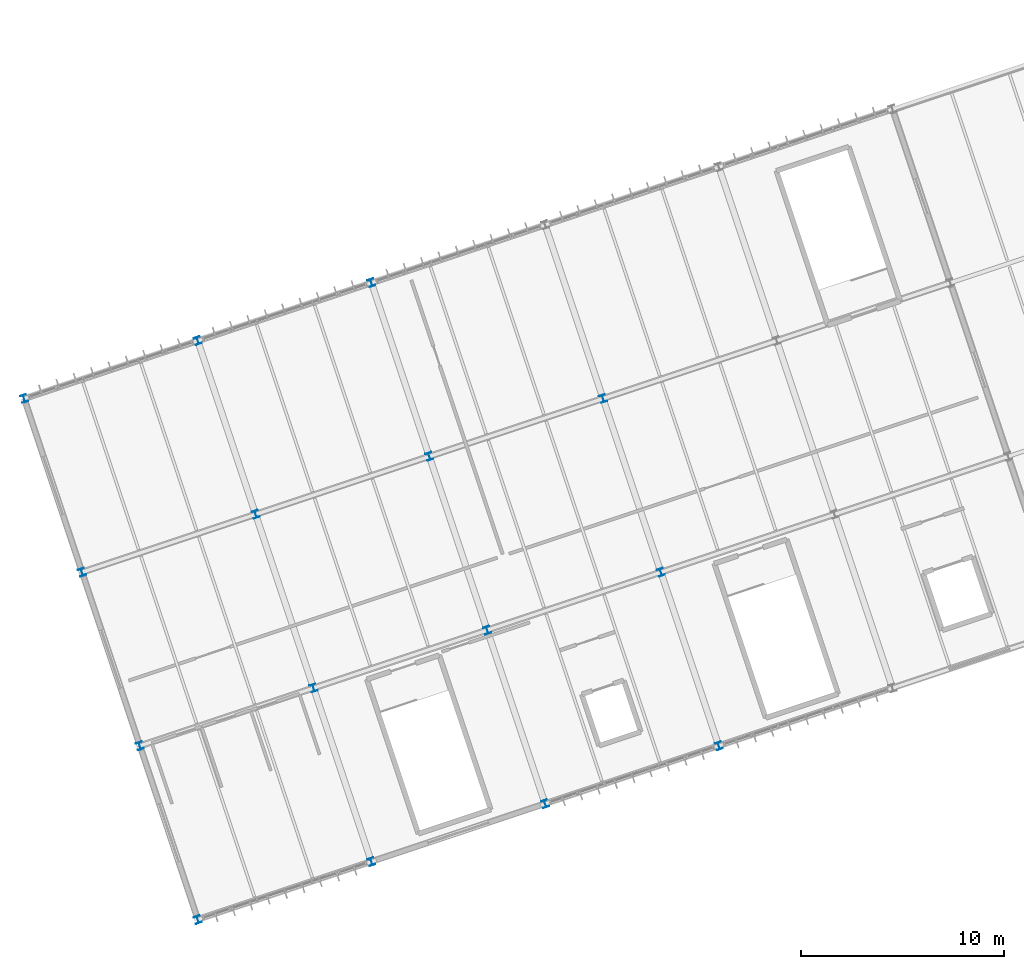
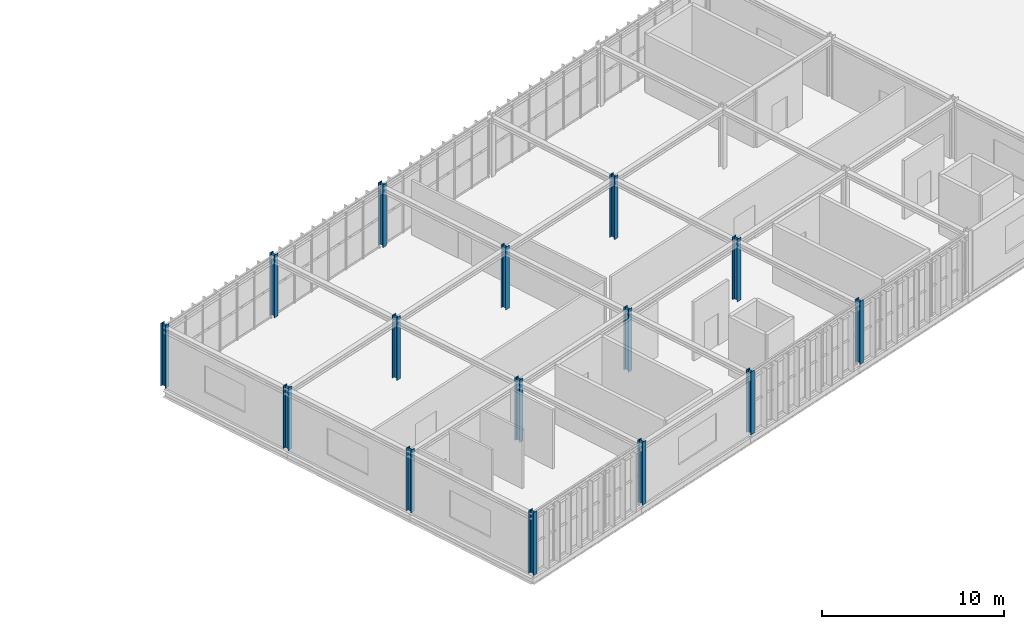
# One storey, part 1 of 61: 15 columns.
"""IFC4 building model written with IfcOpenShell, lengths in metres."""

from ifc_helpers import new_model, si_unit, derived_unit, direction, frame, origin, origin_2d, place, context, subcontext, project, spatial, i_section, extrude, material, material_profile, profile_set, type_object, element, save


model = new_model("IFC4")

# Units and contexts
model_context = context("Model", 3, precision=1e-05, world=origin(), true_north=direction((0.0, 1.0)))
body_context = subcontext(model_context, "Body", "Model", "MODEL_VIEW")
ifc_project = project(units=[si_unit("LENGTHUNIT", "METRE"), si_unit("AREAUNIT", "SQUARE_METRE"), si_unit("VOLUMEUNIT", "CUBIC_METRE"), si_unit("PLANEANGLEUNIT", "RADIAN"), si_unit("MASSUNIT", "GRAM", prefix="KILO"), si_unit("THERMODYNAMICTEMPERATUREUNIT", "KELVIN"), si_unit("TIMEUNIT", "SECOND"), derived_unit("THERMALTRANSMITTANCEUNIT", [(si_unit("MASSUNIT", "GRAM", prefix="KILO"), 1), (si_unit("THERMODYNAMICTEMPERATUREUNIT", "KELVIN"), -1), (si_unit("TIMEUNIT", "SECOND"), -3)])], contexts=[model_context])

# Site, building, storey
site_placement = place(None, origin())
site = spatial("IfcSite", under=ifc_project, at=site_placement, CompositionType="ELEMENT")
building_placement = place(site_placement, origin())
building = spatial("IfcBuilding", under=site, at=building_placement, Name="Cambertide Market Hall", CompositionType="ELEMENT")
storey_placement = place(building_placement, frame((0.0, 0.0, 9.89990234375)))
storey = spatial("IfcBuildingStorey", under=building, at=storey_placement, Name="L03", CompositionType="ELEMENT", Elevation=9.89990234375)

# Columns
ifc_material_1 = material(Name="Steel S355", Category="steel")
ifc_material_profile_1 = material_profile(ifc_material_1, i_section(OverallWidth=0.300048828125, OverallDepth=0.360107421875, WebThickness=0.012451171875, FlangeThickness=0.0224609375, FilletRadius=0.027099609375, at=origin_2d()), Name="HEB 360")
ifc_profile_set_1 = profile_set([ifc_material_profile_1], Name="Steel S355")
column_type_1 = type_object("IfcColumnType", Name="Exterior Steel Column HEB 360", PredefinedType="COLUMN", material=ifc_profile_set_1)
for number, where, z_axis, x_axis, name in (
    (1, (106.0, 12.0, 0.0), (0.0, 0.0, 1.0), (0.94868329805, 0.316227766018, 0.0), "Level 3 Column COL-V3-1-1-L03"),
    (2, (103.154052734375, 20.5380859375, 0.0), (0.0, 0.0, 1.0), (0.94868329805, 0.316227766018, 0.0), "Level 3 Column COL-V3-1-2-L03"),
    (3, (100.307861328125, 29.076416015625, 0.0), (0.0, 0.0, 1.0), (0.94868329805, 0.316227766018, 0.0), "Level 3 Column COL-V3-1-3-L03"),
    (4, (97.4619140625, 37.614501953125, 0.0), (0.0, 0.0, 1.0), (0.94868329805, 0.316227766018, 0.0), "Level 3 Column COL-V3-1-4-L03"),
    (5, (114.5380859375, 14.845947265625, 0.0), (0.0, 0.0, 1.0), (0.94868329805, 0.316227766018, 0.0), "Level 3 Column COL-V3-2-1-L03"),
    (6, (106.0, 40.46044921875, 0.0), (0.0, 0.0, 1.0), (0.94868329805, 0.316227766018, 0.0), "Level 3 Column COL-V3-2-4-L03"),
    (7, (123.076416015625, 17.692138671875, 0.0), (0.0, 0.0, 1.0), (0.94868329805, 0.316227766018, 0.0), "Level 3 Column COL-V3-3-1-L03"),
    (8, (114.5380859375, 43.306640625, 0.0), (0.0, 0.0, 1.0), (0.94868329805, 0.316227766018, 0.0), "Level 3 Column COL-V3-3-4-L03"),
    (9, (131.614501953125, 20.5380859375, 0.0), (0.0, 0.0, 1.0), (0.94868329805, 0.316227766018, 0.0), "Level 3 Column COL-V3-4-1-L03"),
):
    element("IfcColumn", number, at=place(storey_placement, frame(where, z_axis=z_axis, x_axis=x_axis)), inside=storey, type_object=column_type_1, Name=name, PredefinedType="COLUMN", context=body_context, shape_type="SweptSolid", body=[
        extrude(i_section(OverallWidth=0.300048828125, OverallDepth=0.360107421875, WebThickness=0.012451171875, FlangeThickness=0.0224609375, FilletRadius=0.027099609375, at=origin_2d()), origin(), (0.0, 0.0, 1.0), 4.2001953125),
    ])
ifc_material_2 = material(Name="Steel S355", Category="steel")
ifc_material_profile_2 = material_profile(ifc_material_2, i_section(OverallWidth=0.300048828125, OverallDepth=0.360107421875, WebThickness=0.012451171875, FlangeThickness=0.0224609375, FilletRadius=0.027099609375, at=origin_2d()), Name="HEB 360")
ifc_profile_set_2 = profile_set([ifc_material_profile_2], Name="Steel S355")
column_type_2 = type_object("IfcColumnType", Name="Steel Column HEB 360", PredefinedType="COLUMN", material=ifc_profile_set_2)
for number, where, z_axis, x_axis, name in (
    (10, (111.692138671875, 23.38427734375, 0.0), (0.0, 0.0, 1.0), (0.94868329805, 0.316227766018, 0.0), "Level 3 Column COL-V3-2-2-L03"),
    (11, (108.845947265625, 31.92236328125, 0.0), (0.0, 0.0, 1.0), (0.94868329805, 0.316227766018, 0.0), "Level 3 Column COL-V3-2-3-L03"),
    (12, (120.230224609375, 26.230224609375, 0.0), (0.0, 0.0, 1.0), (0.94868329805, 0.316227766018, 0.0), "Level 3 Column COL-V3-3-2-L03"),
    (13, (117.38427734375, 34.768310546875, 0.0), (0.0, 0.0, 1.0), (0.94868329805, 0.316227766018, 0.0), "Level 3 Column COL-V3-3-3-L03"),
    (14, (128.768310546875, 29.076416015625, 0.0), (0.0, 0.0, 1.0), (0.94868329805, 0.316227766018, 0.0), "Level 3 Column COL-V3-4-2-L03"),
    (15, (125.92236328125, 37.614501953125, 0.0), (0.0, 0.0, 1.0), (0.94868329805, 0.316227766018, 0.0), "Level 3 Column COL-V3-4-3-L03"),
):
    element("IfcColumn", number, at=place(storey_placement, frame(where, z_axis=z_axis, x_axis=x_axis)), inside=storey, type_object=column_type_2, Name=name, PredefinedType="COLUMN", context=body_context, shape_type="SweptSolid", body=[
        extrude(i_section(OverallWidth=0.300048828125, OverallDepth=0.360107421875, WebThickness=0.012451171875, FlangeThickness=0.0224609375, FilletRadius=0.027099609375, at=origin_2d()), origin(), (0.0, 0.0, 1.0), 4.2001953125),
    ])

save(model, "model.ifc")
